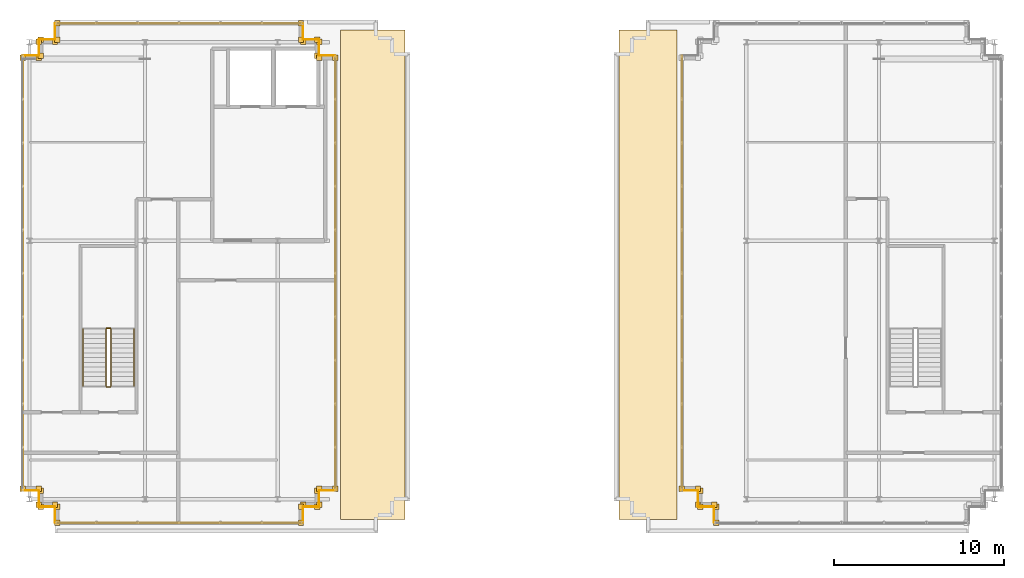
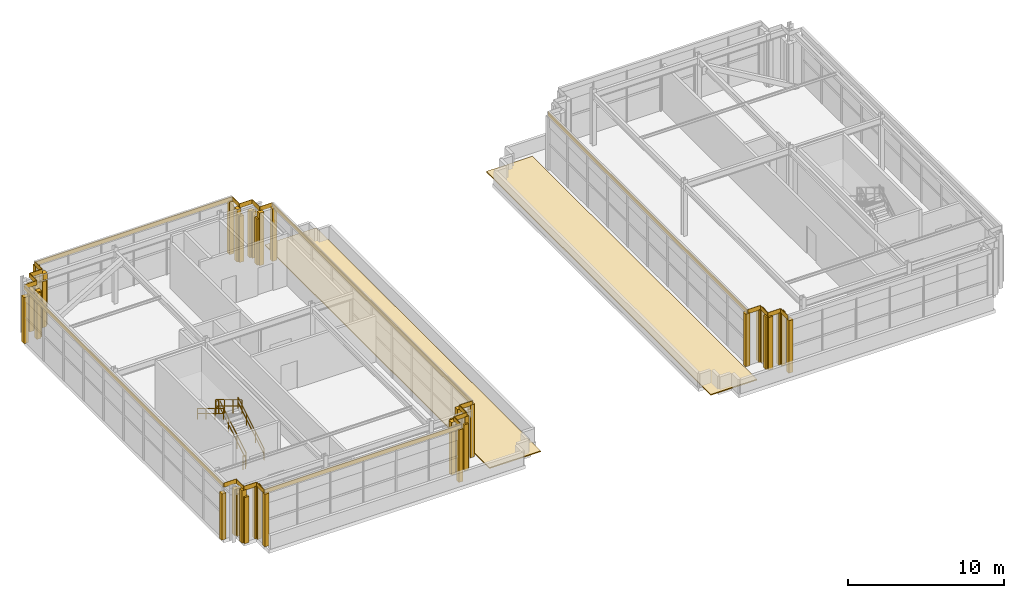
# One storey, part 27 of 28: 67 coverings, 6 railings.
"""IFC4 building model written with IfcOpenShell, lengths in metres."""

from ifc_helpers import new_model, si_unit, direction, frame, origin, origin_2d, place, context, subcontext, project, spatial, polyline, rectangle, outline, extrude, source, transform, mapped, material, layer, layer_set, type_object, element, save


model = new_model("IFC4")

# Units and contexts
model_context = context("Model", 3, precision=1e-05, world=origin(), true_north=direction((0.0, 1.0)))
body_context = subcontext(model_context, "Body", "Model", "MODEL_VIEW")
ifc_project = project(units=[si_unit("LENGTHUNIT", "METRE"), si_unit("AREAUNIT", "SQUARE_METRE"), si_unit("VOLUMEUNIT", "CUBIC_METRE"), si_unit("PLANEANGLEUNIT", "RADIAN"), si_unit("MASSUNIT", "GRAM", prefix="KILO")], contexts=[model_context])

# Site, building, storey
site_placement = place(None, origin())
site = spatial("IfcSite", under=ifc_project, at=site_placement, CompositionType="ELEMENT")
building_placement = place(site_placement, origin())
building = spatial("IfcBuilding", under=site, at=building_placement, Name="Trelvane Seafront Commons", CompositionType="ELEMENT")
storey_placement = place(building_placement, frame((0.0, 0.0, 312.300048828125)))
storey = spatial("IfcBuildingStorey", under=building, at=storey_placement, Name="L81", CompositionType="ELEMENT", Elevation=312.300048828125)

# Coverings
ifc_material_1 = material(Name="Polymer-Modified Bitumen Membrane")
ifc_layer_1 = layer(ifc_material_1, 0.080078125, Name="ARCH-COV-ROOF80")
ifc_layer_set_1 = layer_set([ifc_layer_1], Name="Polymer-Modified Bitumen Membrane")
covering_type_1 = type_object("IfcCoveringType", Name="ARCH-COV-ROOF80", PredefinedType="ROOFING", material=ifc_layer_set_1)
covering_1_placement = place(storey_placement, origin())
element("IfcCovering", 1, at=covering_1_placement, inside=storey, type_object=covering_type_1, Name="COV-ROOF-L81-09", PredefinedType="ROOFING", context=body_context, shape_type="SweptSolid", body=[
    extrude(outline(polyline([(27.10009765625, 17.0), (30.89990234375, 17.0), (30.89990234375, 45.800048828125), (27.10009765625, 45.800048828125), (27.10009765625, 17.0)])), origin(), (0.0, 0.0, 1.0), 0.079833984375),
])
covering_2_placement = place(storey_placement, origin())
element("IfcCovering", 2, at=covering_2_placement, inside=storey, type_object=covering_type_1, Name="COV-ROOF-L81-10", PredefinedType="ROOFING", context=body_context, shape_type="SweptSolid", body=[
    extrude(outline(polyline([(43.5, 17.0), (46.89990234375, 17.0), (46.89990234375, 45.800048828125), (43.5, 45.800048828125), (43.5, 17.0)])), origin(), (0.0, 0.0, 1.0), 0.079833984375),
])

# Railings
ifc_material_2 = material(Name="Stainless steel balustrade", Category="steel")
railing_type_1 = type_object("IfcRailingType", Name="ARCH-SRL-GUARD", PredefinedType="GUARDRAIL", material=ifc_material_2)
railing_1_placement = place(storey_placement, frame((13.60009765625, 24.85009765625, 0.169189453125)))
element("IfcRailing", 3, at=railing_1_placement, inside=storey, type_object=railing_type_1, Name="L81 ST-5 stair guard 1", PredefinedType="GUARDRAIL", context=body_context, shape_type="SweptSolid", body=[
    extrude(rectangle(XDim=0.048095703125, YDim=0.048095703125, at=origin_2d()), frame((0.0, 0.0, 1.076171875), z_axis=(0.0, 0.855820338506, 0.51727318527), x_axis=(-1.0, 0.0, 0.0)), (0.0, 0.0, 1.0), 3.92578125),
    extrude(rectangle(XDim=0.048095703125, YDim=0.048095703125, at=origin_2d()), frame((0.0, 0.0, 0.572021484375), z_axis=(0.0, 0.855820338506, 0.51727318527), x_axis=(-1.0, 0.0, 0.0)), (0.0, 0.0, 1.0), 3.92578125),
    extrude(rectangle(XDim=0.0419921875, YDim=0.0419921875, at=origin_2d()), origin(), (0.0, 0.0, 1.0), 1.076171875),
    extrude(rectangle(XDim=0.0419921875, YDim=0.0419921875, at=origin_2d()), frame((0.0, 1.119873046875, 0.677001953125)), (0.0, 0.0, 1.0), 1.076171875),
    extrude(rectangle(XDim=0.0419921875, YDim=0.0419921875, at=origin_2d()), frame((0.0, 2.239990234375, 1.353759765625)), (0.0, 0.0, 1.0), 1.076171875),
    extrude(rectangle(XDim=0.0419921875, YDim=0.0419921875, at=origin_2d()), frame((0.0, 3.35986328125, 2.03076171875)), (0.0, 0.0, 1.0), 1.076171875),
])
railing_2_placement = place(storey_placement, frame((13.550048828125, 28.260009765625, 2.199951171875)))
element("IfcRailing", 4, at=railing_2_placement, inside=storey, type_object=railing_type_1, Name="L81 ST-5 stair guard 2", PredefinedType="GUARDRAIL", context=body_context, shape_type="SweptSolid", body=[
    extrude(rectangle(XDim=0.048095703125, YDim=0.048095703125, at=origin_2d()), frame((0.0, 0.0, 1.076171875), z_axis=(-1.0, 0.0, 0.0), x_axis=(0.0, -1.0, 0.0)), (0.0, 0.0, 1.0), 0.199951171875),
    extrude(rectangle(XDim=0.048095703125, YDim=0.048095703125, at=origin_2d()), frame((0.0, 0.0, 0.572021484375), z_axis=(-1.0, 0.0, 0.0), x_axis=(0.0, -1.0, 0.0)), (0.0, 0.0, 1.0), 0.199951171875),
    extrude(rectangle(XDim=0.0419921875, YDim=0.0419921875, at=origin_2d()), origin(), (0.0, 0.0, 1.0), 1.076171875),
    extrude(rectangle(XDim=0.0419921875, YDim=0.0419921875, at=origin_2d()), frame((-0.199951171875, 0.0, 0.0)), (0.0, 0.0, 1.0), 1.076171875),
])
railing_3_placement = place(storey_placement, frame((13.300048828125, 28.2099609375, 2.369140625)))
element("IfcRailing", 5, at=railing_3_placement, inside=storey, type_object=railing_type_1, Name="L81 ST-5 stair guard 3", PredefinedType="GUARDRAIL", context=body_context, shape_type="SweptSolid", body=[
    extrude(rectangle(XDim=0.048095703125, YDim=0.048095703125, at=origin_2d()), frame((0.0, 0.0, 1.076171875), z_axis=(0.0, -0.855820338506, 0.51727318527), x_axis=(1.0, 0.0, 0.0)), (0.0, 0.0, 1.0), 3.92578125),
    extrude(rectangle(XDim=0.048095703125, YDim=0.048095703125, at=origin_2d()), frame((0.0, 0.0, 0.572021484375), z_axis=(0.0, -0.855820338506, 0.51727318527), x_axis=(1.0, 0.0, 0.0)), (0.0, 0.0, 1.0), 3.92578125),
    extrude(rectangle(XDim=0.0419921875, YDim=0.0419921875, at=origin_2d()), origin(), (0.0, 0.0, 1.0), 1.076171875),
    extrude(rectangle(XDim=0.0419921875, YDim=0.0419921875, at=origin_2d()), frame((0.0, -1.119873046875, 0.677001953125)), (0.0, 0.0, 1.0), 1.076171875),
    extrude(rectangle(XDim=0.0419921875, YDim=0.0419921875, at=origin_2d()), frame((0.0, -2.239990234375, 1.353759765625)), (0.0, 0.0, 1.0), 1.076171875),
    extrude(rectangle(XDim=0.0419921875, YDim=0.0419921875, at=origin_2d()), frame((0.0, -3.35986328125, 2.03076171875)), (0.0, 0.0, 1.0), 1.076171875),
])
railing_4_placement = place(storey_placement, frame((13.550048828125, 24.800048828125, 0.0)))
element("IfcRailing", 6, at=railing_4_placement, inside=storey, type_object=railing_type_1, Name="L81 ST-5 stair guard 4", PredefinedType="GUARDRAIL", context=body_context, shape_type="SweptSolid", body=[
    extrude(rectangle(XDim=0.048095703125, YDim=0.048095703125, at=origin_2d()), frame((0.0, 0.0, 1.076171875), z_axis=(-1.0, 0.0, 0.0), x_axis=(0.0, -1.0, 0.0)), (0.0, 0.0, 1.0), 0.199951171875),
    extrude(rectangle(XDim=0.048095703125, YDim=0.048095703125, at=origin_2d()), frame((0.0, 0.0, 0.572021484375), z_axis=(-1.0, 0.0, 0.0), x_axis=(0.0, -1.0, 0.0)), (0.0, 0.0, 1.0), 0.199951171875),
    extrude(rectangle(XDim=0.0419921875, YDim=0.0419921875, at=origin_2d()), origin(), (0.0, 0.0, 1.0), 1.076171875),
    extrude(rectangle(XDim=0.0419921875, YDim=0.0419921875, at=origin_2d()), frame((-0.199951171875, 0.0, 0.0)), (0.0, 0.0, 1.0), 1.076171875),
])
railing_type_2 = type_object("IfcRailingType", Name="ARCH-SRL-HAND", PredefinedType="HANDRAIL", material=ifc_material_2)
railing_5_placement = place(storey_placement, frame((14.949951171875, 24.85009765625, 0.169189453125)))
element("IfcRailing", 7, at=railing_5_placement, inside=storey, type_object=railing_type_2, Name="L81 ST-5 stair handrail 1", PredefinedType="HANDRAIL", context=body_context, shape_type="SweptSolid", body=[
    extrude(rectangle(XDim=0.048095703125, YDim=0.048095703125, at=origin_2d()), frame((0.0, 0.0, 0.8759765625), z_axis=(0.0, 0.855820338506, 0.51727318527), x_axis=(-1.0, 0.0, 0.0)), (0.0, 0.0, 1.0), 3.92578125),
    extrude(rectangle(XDim=0.048095703125, YDim=0.048095703125, at=origin_2d()), frame((0.0, 0.0, 0.468017578125), z_axis=(0.0, 0.855820338506, 0.51727318527), x_axis=(-1.0, 0.0, 0.0)), (0.0, 0.0, 1.0), 3.92578125),
    extrude(rectangle(XDim=0.0419921875, YDim=0.0419921875, at=origin_2d()), origin(), (0.0, 0.0, 1.0), 0.8759765625),
    extrude(rectangle(XDim=0.0419921875, YDim=0.0419921875, at=origin_2d()), frame((0.0, 1.119873046875, 0.677001953125)), (0.0, 0.0, 1.0), 0.8759765625),
    extrude(rectangle(XDim=0.0419921875, YDim=0.0419921875, at=origin_2d()), frame((0.0, 2.239990234375, 1.353759765625)), (0.0, 0.0, 1.0), 0.8759765625),
    extrude(rectangle(XDim=0.0419921875, YDim=0.0419921875, at=origin_2d()), frame((0.0, 3.35986328125, 2.03076171875)), (0.0, 0.0, 1.0), 0.8759765625),
])
railing_6_placement = place(storey_placement, frame((11.949951171875, 28.2099609375, 2.369140625)))
element("IfcRailing", 8, at=railing_6_placement, inside=storey, type_object=railing_type_2, Name="L81 ST-5 stair handrail 2", PredefinedType="HANDRAIL", context=body_context, shape_type="SweptSolid", body=[
    extrude(rectangle(XDim=0.048095703125, YDim=0.048095703125, at=origin_2d()), frame((0.0, 0.0, 0.8759765625), z_axis=(0.0, -0.855820338506, 0.51727318527), x_axis=(1.0, 0.0, 0.0)), (0.0, 0.0, 1.0), 3.92578125),
    extrude(rectangle(XDim=0.048095703125, YDim=0.048095703125, at=origin_2d()), frame((0.0, 0.0, 0.468017578125), z_axis=(0.0, -0.855820338506, 0.51727318527), x_axis=(1.0, 0.0, 0.0)), (0.0, 0.0, 1.0), 3.92578125),
    extrude(rectangle(XDim=0.0419921875, YDim=0.0419921875, at=origin_2d()), origin(), (0.0, 0.0, 1.0), 0.8759765625),
    extrude(rectangle(XDim=0.0419921875, YDim=0.0419921875, at=origin_2d()), frame((0.0, -1.119873046875, 0.677001953125)), (0.0, 0.0, 1.0), 0.8759765625),
    extrude(rectangle(XDim=0.0419921875, YDim=0.0419921875, at=origin_2d()), frame((0.0, -2.239990234375, 1.353759765625)), (0.0, 0.0, 1.0), 0.8759765625),
    extrude(rectangle(XDim=0.0419921875, YDim=0.0419921875, at=origin_2d()), frame((0.0, -3.35986328125, 2.03076171875)), (0.0, 0.0, 1.0), 0.8759765625),
])

# Coverings
ifc_material_3 = material(Name="Anodised pale-silver aluminium", Category="aluminium")
ifc_layer_2 = layer(ifc_material_3, 0.034912109375, Name="ARCH-COV-CLAD35")
ifc_layer_set_2 = layer_set([ifc_layer_2], Name="Anodised pale-silver aluminium")
covering_type_2 = type_object("IfcCoveringType", Name="ARCH-COV-CLAD35", PredefinedType="CLADDING", material=ifc_layer_set_2)
shared_shape_1 = source(origin(), body_context, "Body", "SweptSolid", [
    extrude(rectangle(XDim=25.60009765625, YDim=0.034912109375, at=origin_2d()), origin(), (0.0, 0.0, 1.0), 0.340087890625),
])
for number, where, z_axis, x_axis, name in (
    (9, (8.39990234375, 31.5, 4.06005859375), (0.0, 0.0, 1.0), (0.0, 1.0, 0.0), "CLD-L81-0536"),
    (10, (26.800048828125, 31.5, 4.06005859375), (0.0, 0.0, 1.0), (0.0, -1.0, 0.0), "CLD-L81-0562"),
    (11, (47.199951171875, 31.5, 4.06005859375), (0.0, 0.0, 1.0), (0.0, 1.0, 0.0), "CLD-L81-0588"),
):
    element("IfcCovering", number, at=place(storey_placement, frame(where, z_axis=z_axis, x_axis=x_axis)), inside=storey, type_object=covering_type_2, Name=name, PredefinedType="CLADDING", context=body_context, shape_type="MappedRepresentation", body=[
        mapped(shared_shape_1, transform((0.0, 0.0, 0.0), x_axis=(1.0, 0.0, 0.0), y_axis=(0.0, 1.0, 0.0), z_axis=(0.0, 0.0, 1.0), scale=1.0)),
    ])
shared_shape_2 = source(origin(), body_context, "Body", "SweptSolid", [
    extrude(rectangle(XDim=0.320068359375, YDim=0.320068359375, at=origin_2d()), origin(), (0.0, 0.0, 1.0), 4.110107421875),
])
for number, where, z_axis, x_axis, name in (
    (12, (10.300048828125, 17.8701171875, 0.0), (0.0, 0.0, 1.0), (1.0, 0.0, 0.0), "CLD-CP-L81-00527"),
    (13, (9.35009765625, 17.8701171875, 0.0), (0.0, 0.0, 1.0), (1.0, 0.0, 0.0), "CLD-CP-L81-00528"),
    (14, (10.419921875, 45.25, 0.0), (0.0, 0.0, 1.0), (1.0, 0.0, 0.0), "CLD-CP-L81-00546"),
    (15, (10.419921875, 46.199951171875, 0.0), (0.0, 0.0, 1.0), (1.0, 0.0, 0.0), "CLD-CP-L81-00547"),
    (16, (24.780029296875, 46.199951171875, 0.0), (0.0, 0.0, 1.0), (1.0, 0.0, 0.0), "CLD-CP-L81-00550"),
    (17, (24.780029296875, 45.25, 0.0), (0.0, 0.0, 1.0), (1.0, 0.0, 0.0), "CLD-CP-L81-00551"),
    (18, (25.85009765625, 44.179931640625, 0.0), (0.0, 0.0, 1.0), (1.0, 0.0, 0.0), "CLD-CP-L81-00559"),
    (19, (26.800048828125, 44.179931640625, 0.0), (0.0, 0.0, 1.0), (1.0, 0.0, 0.0), "CLD-CP-L81-00560"),
    (20, (26.800048828125, 18.820068359375, 0.0), (0.0, 0.0, 1.0), (1.0, 0.0, 0.0), "CLD-CP-L81-00563"),
    (21, (25.85009765625, 18.820068359375, 0.0), (0.0, 0.0, 1.0), (1.0, 0.0, 0.0), "CLD-CP-L81-00564"),
    (22, (25.85009765625, 17.8701171875, 0.0), (0.0, 0.0, 1.0), (1.0, 0.0, 0.0), "CLD-CP-L81-00569"),
    (23, (24.89990234375, 17.8701171875, 0.0), (0.0, 0.0, 1.0), (1.0, 0.0, 0.0), "CLD-CP-L81-00570"),
    (24, (24.780029296875, 17.75, 0.0), (0.0, 0.0, 1.0), (1.0, 0.0, 0.0), "CLD-CP-L81-00572"),
    (25, (24.780029296875, 16.800048828125, 0.0), (0.0, 0.0, 1.0), (1.0, 0.0, 0.0), "CLD-CP-L81-00573"),
    (26, (10.419921875, 16.800048828125, 0.0), (0.0, 0.0, 1.0), (1.0, 0.0, 0.0), "CLD-CP-L81-00576"),
    (27, (10.419921875, 17.75, 0.0), (0.0, 0.0, 1.0), (1.0, 0.0, 0.0), "CLD-CP-L81-00577"),
    (28, (49.10009765625, 17.8701171875, 0.0), (0.0, 0.0, 1.0), (1.0, 0.0, 0.0), "CLD-CP-L81-00579"),
    (29, (48.14990234375, 17.8701171875, 0.0), (0.0, 0.0, 1.0), (1.0, 0.0, 0.0), "CLD-CP-L81-00580"),
    (30, (48.27001953125, 17.75, 0.0), (0.0, 0.0, 1.0), (1.0, 0.0, 0.0), "CLD-CP-L81-00582"),
    (31, (48.27001953125, 18.699951171875, 0.0), (0.0, 0.0, 1.0), (1.0, 0.0, 0.0), "CLD-CP-L81-00583"),
    (32, (48.14990234375, 18.820068359375, 0.0), (0.0, 0.0, 1.0), (1.0, 0.0, 0.0), "CLD-CP-L81-00585"),
    (33, (47.199951171875, 18.820068359375, 0.0), (0.0, 0.0, 1.0), (1.0, 0.0, 0.0), "CLD-CP-L81-00586"),
    (34, (49.219970703125, 16.800048828125, 0.0), (0.0, 0.0, 1.0), (1.0, 0.0, 0.0), "CLD-CP-L81-00628"),
    (35, (49.219970703125, 17.75, 0.0), (0.0, 0.0, 1.0), (1.0, 0.0, 0.0), "CLD-CP-L81-00629"),
):
    element("IfcCovering", number, at=place(storey_placement, frame(where, z_axis=z_axis, x_axis=x_axis)), inside=storey, type_object=covering_type_2, Name=name, PredefinedType="CLADDING", context=body_context, shape_type="MappedRepresentation", body=[
        mapped(shared_shape_2, transform((0.0, 0.0, 0.0), x_axis=(1.0, 0.0, 0.0), y_axis=(0.0, 1.0, 0.0), z_axis=(0.0, 0.0, 1.0), scale=1.0)),
    ])
shared_shape_3 = source(origin(), body_context, "Body", "SweptSolid", [
    extrude(rectangle(XDim=0.949951171875, YDim=0.034912109375, at=origin_2d()), origin(), (0.0, 0.0, 1.0), 0.340087890625),
])
for number, where, z_axis, x_axis, name in (
    (36, (9.824951171875, 17.75, 4.06005859375), (0.0, 0.0, 1.0), (-1.0, 0.0, 0.0), "CLD-L81-0529"),
    (37, (9.35009765625, 18.22509765625, 4.06005859375), (0.0, 0.0, 1.0), (0.0, 1.0, 0.0), "CLD-L81-0532"),
    (38, (8.875, 18.699951171875, 4.06005859375), (0.0, 0.0, 1.0), (-1.0, 0.0, 0.0), "CLD-L81-0535"),
    (39, (8.875, 44.300048828125, 4.06005859375), (0.0, 0.0, 1.0), (1.0, 0.0, 0.0), "CLD-L81-0539"),
    (40, (9.35009765625, 44.77490234375, 4.06005859375), (0.0, 0.0, 1.0), (0.0, 1.0, 0.0), "CLD-L81-0542"),
    (41, (9.824951171875, 45.25, 4.06005859375), (0.0, 0.0, 1.0), (1.0, 0.0, 0.0), "CLD-L81-0545"),
    (42, (10.300048828125, 45.72509765625, 4.06005859375), (0.0, 0.0, 1.0), (0.0, 1.0, 0.0), "CLD-L81-0548"),
    (43, (24.89990234375, 45.72509765625, 4.06005859375), (0.0, 0.0, 1.0), (0.0, -1.0, 0.0), "CLD-L81-0552"),
    (44, (25.375, 45.25, 4.06005859375), (0.0, 0.0, 1.0), (1.0, 0.0, 0.0), "CLD-L81-0555"),
    (45, (25.85009765625, 44.77490234375, 4.06005859375), (0.0, 0.0, 1.0), (0.0, -1.0, 0.0), "CLD-L81-0558"),
    (46, (26.324951171875, 44.300048828125, 4.06005859375), (0.0, 0.0, 1.0), (1.0, 0.0, 0.0), "CLD-L81-0561"),
    (47, (26.324951171875, 18.699951171875, 4.06005859375), (0.0, 0.0, 1.0), (-1.0, 0.0, 0.0), "CLD-L81-0565"),
    (48, (25.85009765625, 18.22509765625, 4.06005859375), (0.0, 0.0, 1.0), (0.0, -1.0, 0.0), "CLD-L81-0568"),
    (49, (25.375, 17.75, 4.06005859375), (0.0, 0.0, 1.0), (-1.0, 0.0, 0.0), "CLD-L81-0571"),
    (50, (24.89990234375, 17.27490234375, 4.06005859375), (0.0, 0.0, 1.0), (0.0, -1.0, 0.0), "CLD-L81-0574"),
    (51, (10.300048828125, 17.27490234375, 4.06005859375), (0.0, 0.0, 1.0), (0.0, 1.0, 0.0), "CLD-L81-0578"),
    (52, (48.625, 17.75, 4.06005859375), (0.0, 0.0, 1.0), (-1.0, 0.0, 0.0), "CLD-L81-0581"),
    (53, (48.14990234375, 18.22509765625, 4.06005859375), (0.0, 0.0, 1.0), (0.0, 1.0, 0.0), "CLD-L81-0584"),
    (54, (47.675048828125, 18.699951171875, 4.06005859375), (0.0, 0.0, 1.0), (-1.0, 0.0, 0.0), "CLD-L81-0587"),
    (55, (49.10009765625, 17.27490234375, 4.06005859375), (0.0, 0.0, 1.0), (0.0, 1.0, 0.0), "CLD-L81-0630"),
):
    element("IfcCovering", number, at=place(storey_placement, frame(where, z_axis=z_axis, x_axis=x_axis)), inside=storey, type_object=covering_type_2, Name=name, PredefinedType="CLADDING", context=body_context, shape_type="MappedRepresentation", body=[
        mapped(shared_shape_3, transform((0.0, 0.0, 0.0), x_axis=(1.0, 0.0, 0.0), y_axis=(0.0, 1.0, 0.0), z_axis=(0.0, 0.0, 1.0), scale=1.0)),
    ])
shared_shape_4 = source(origin(), body_context, "Body", "SweptSolid", [
    extrude(rectangle(XDim=0.320068359375, YDim=0.320068359375, at=origin_2d()), origin(), (0.0, 0.0, 1.0), 3.610107421875),
])
for number, where, z_axis, x_axis, name in (
    (56, (9.469970703125, 17.75, 0.0), (0.0, 0.0, 1.0), (1.0, 0.0, 0.0), "CLD-CP-L81-00530"),
    (57, (9.469970703125, 18.699951171875, 0.0), (0.0, 0.0, 1.0), (1.0, 0.0, 0.0), "CLD-CP-L81-00531"),
    (58, (9.35009765625, 18.820068359375, 0.0), (0.0, 0.0, 1.0), (1.0, 0.0, 0.0), "CLD-CP-L81-00533"),
    (59, (8.39990234375, 18.820068359375, 0.0), (0.0, 0.0, 1.0), (1.0, 0.0, 0.0), "CLD-CP-L81-00534"),
    (60, (8.39990234375, 44.179931640625, 0.0), (0.0, 0.0, 1.0), (1.0, 0.0, 0.0), "CLD-CP-L81-00537"),
    (61, (9.35009765625, 44.179931640625, 0.0), (0.0, 0.0, 1.0), (1.0, 0.0, 0.0), "CLD-CP-L81-00538"),
    (62, (9.469970703125, 44.300048828125, 0.0), (0.0, 0.0, 1.0), (1.0, 0.0, 0.0), "CLD-CP-L81-00540"),
    (63, (9.469970703125, 45.25, 0.0), (0.0, 0.0, 1.0), (1.0, 0.0, 0.0), "CLD-CP-L81-00541"),
    (64, (9.35009765625, 45.1298828125, 0.0), (0.0, 0.0, 1.0), (1.0, 0.0, 0.0), "CLD-CP-L81-00543"),
    (65, (10.300048828125, 45.1298828125, 0.0), (0.0, 0.0, 1.0), (1.0, 0.0, 0.0), "CLD-CP-L81-00544"),
    (66, (24.89990234375, 45.1298828125, 0.0), (0.0, 0.0, 1.0), (1.0, 0.0, 0.0), "CLD-CP-L81-00553"),
    (67, (25.85009765625, 45.1298828125, 0.0), (0.0, 0.0, 1.0), (1.0, 0.0, 0.0), "CLD-CP-L81-00554"),
    (68, (25.72998046875, 45.25, 0.0), (0.0, 0.0, 1.0), (1.0, 0.0, 0.0), "CLD-CP-L81-00556"),
    (69, (25.72998046875, 44.300048828125, 0.0), (0.0, 0.0, 1.0), (1.0, 0.0, 0.0), "CLD-CP-L81-00557"),
    (70, (25.72998046875, 18.699951171875, 0.0), (0.0, 0.0, 1.0), (1.0, 0.0, 0.0), "CLD-CP-L81-00566"),
    (71, (25.72998046875, 17.75, 0.0), (0.0, 0.0, 1.0), (1.0, 0.0, 0.0), "CLD-CP-L81-00567"),
):
    element("IfcCovering", number, at=place(storey_placement, frame(where, z_axis=z_axis, x_axis=x_axis)), inside=storey, type_object=covering_type_2, Name=name, PredefinedType="CLADDING", context=body_context, shape_type="MappedRepresentation", body=[
        mapped(shared_shape_4, transform((0.0, 0.0, 0.0), x_axis=(1.0, 0.0, 0.0), y_axis=(0.0, 1.0, 0.0), z_axis=(0.0, 0.0, 1.0), scale=1.0)),
    ])
shared_shape_5 = source(origin(), body_context, "Body", "SweptSolid", [
    extrude(rectangle(XDim=14.60009765625, YDim=0.034912109375, at=origin_2d()), origin(), (0.0, 0.0, 1.0), 0.340087890625),
])
for number, where, z_axis, x_axis, name in (
    (72, (17.60009765625, 46.199951171875, 4.06005859375), (0.0, 0.0, 1.0), (1.0, 0.0, 0.0), "CLD-L81-0549"),
    (73, (17.60009765625, 16.800048828125, 4.06005859375), (0.0, 0.0, 1.0), (-1.0, 0.0, 0.0), "CLD-L81-0575"),
):
    element("IfcCovering", number, at=place(storey_placement, frame(where, z_axis=z_axis, x_axis=x_axis)), inside=storey, type_object=covering_type_2, Name=name, PredefinedType="CLADDING", context=body_context, shape_type="MappedRepresentation", body=[
        mapped(shared_shape_5, transform((0.0, 0.0, 0.0), x_axis=(1.0, 0.0, 0.0), y_axis=(0.0, 1.0, 0.0), z_axis=(0.0, 0.0, 1.0), scale=1.0)),
    ])

save(model, "model.ifc")
